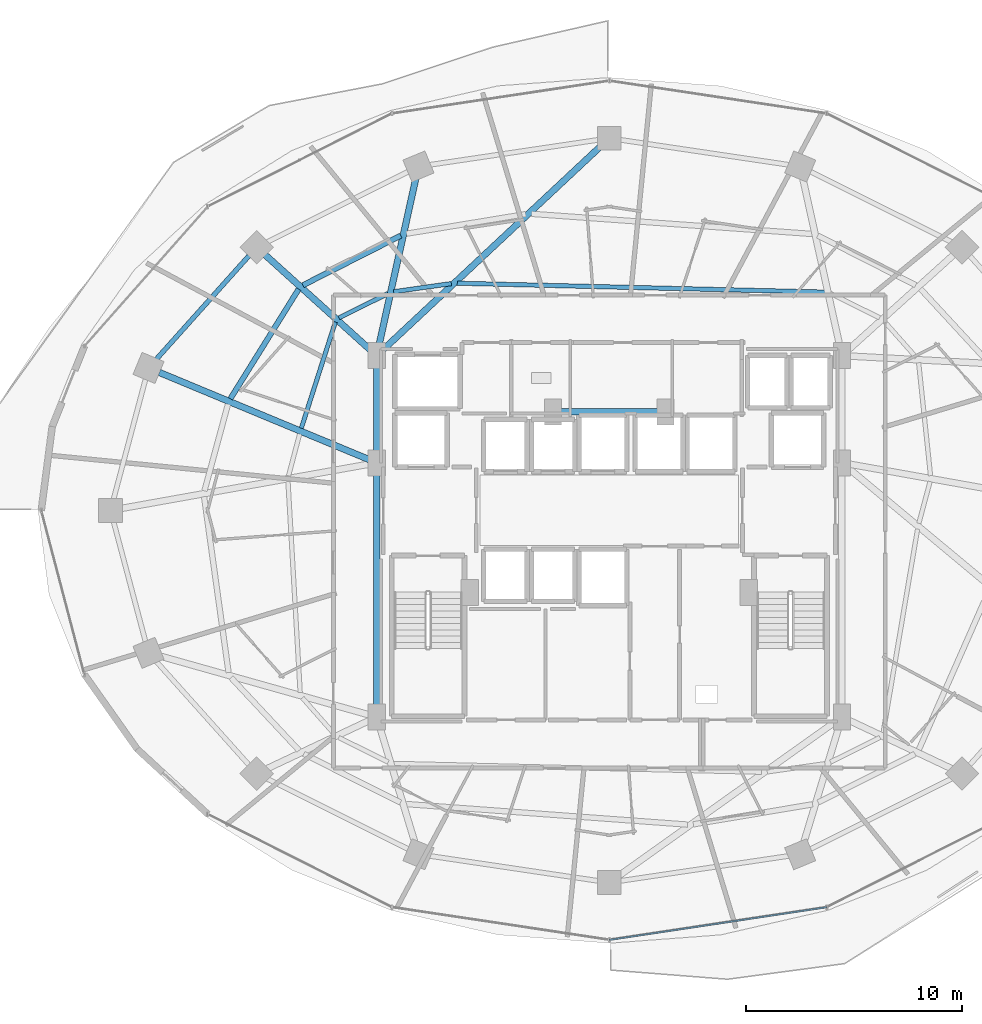
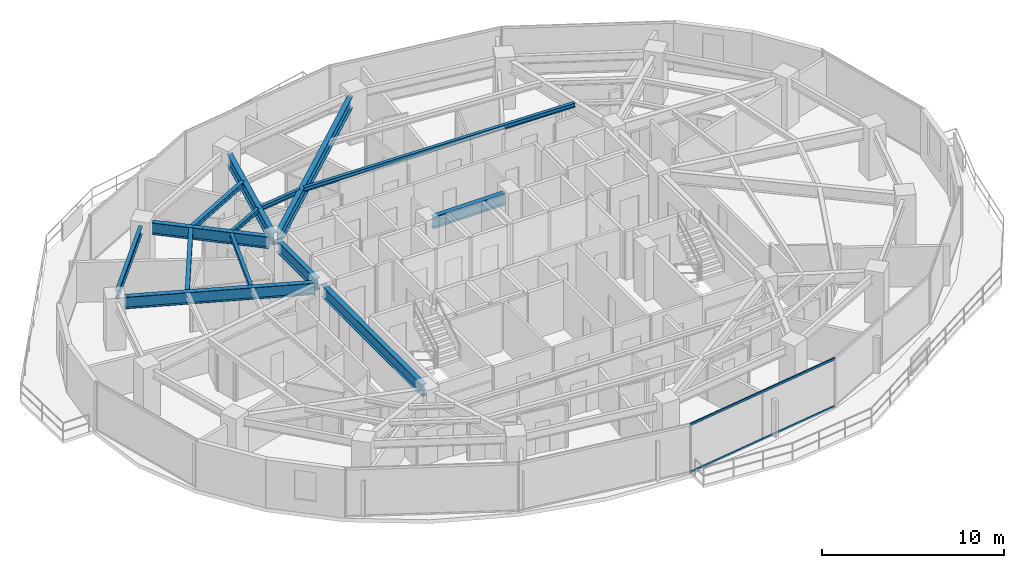
# One storey, part 9 of 29: 14 beams, 2 members, 1 element without a shape of its own.
"""IFC4 building model written with IfcOpenShell, lengths in metres."""

from ifc_helpers import new_model, si_unit, direction, frame, origin, origin_2d, place, context, subcontext, project, spatial, hollow_rectangle, i_section, extrude, material, material_profile, profile_set, type_object, element, aggregate, save


model = new_model("IFC4")

# Units and contexts
model_context = context("Model", 3, precision=1e-05, world=origin(), true_north=direction((0.0, 1.0)))
body_context = subcontext(model_context, "Body", "Model", "MODEL_VIEW")
ifc_project = project(units=[si_unit("LENGTHUNIT", "METRE"), si_unit("AREAUNIT", "SQUARE_METRE"), si_unit("VOLUMEUNIT", "CUBIC_METRE"), si_unit("PLANEANGLEUNIT", "RADIAN"), si_unit("MASSUNIT", "GRAM", prefix="KILO")], contexts=[model_context])

# Site, building, storey
site_placement = place(None, origin())
site = spatial("IfcSite", under=ifc_project, at=site_placement, CompositionType="ELEMENT")
building_placement = place(site_placement, origin())
building = spatial("IfcBuilding", under=site, at=building_placement, Name="Vorneva Point Tower", CompositionType="ELEMENT")
storey_placement = place(building_placement, frame((0.0, 0.0, 113.800048828125)))
storey = spatial("IfcBuildingStorey", under=building, at=storey_placement, Name="L30", CompositionType="ELEMENT", Elevation=113.800048828125)

# Beams
ifc_material_1 = material(Name="Steel S355", Category="steel")
ifc_material_profile_1 = material_profile(ifc_material_1, i_section(OverallWidth=0.300048828125, OverallDepth=0.7880859375, WebThickness=0.014404296875, FlangeThickness=0.02197265625, at=origin_2d()), Name="80Sh1")
ifc_profile_set_1 = profile_set([ifc_material_profile_1], Name="Steel S355")
beam_type_1 = type_object("IfcBeamType", Name="BM-GRD-80Sh1", PredefinedType="USERDEFINED", material=ifc_profile_set_1)
beam_1_placement = place(storey_placement, frame((37.60693359375, 42.83251953125, 2.845947265625), z_axis=(-0.730488863256, -0.682924608327, 0.0), x_axis=(0.682924608327, -0.730488863256, 0.0)))
element("IfcBeam", 1, at=beam_1_placement, inside=storey, type_object=beam_type_1, Name="L30 Radial Primary Girder 05", ObjectType="GIRDER", PredefinedType="USERDEFINED", context=body_context, shape_type="SweptSolid", body=[
    extrude(i_section(OverallWidth=0.300048828125, OverallDepth=0.7880859375, WebThickness=0.014404296875, FlangeThickness=0.02197265625, at=origin_2d()), origin(), (0.0, 0.0, 1.0), 13.838134765625),
])
beam_2_placement = place(storey_placement, frame((29.063232421875, 41.365234375, 2.845947265625), z_axis=(-0.215530944428, -0.976497010745, 0.0), x_axis=(0.976497010745, -0.215530944428, 0.0)))
element("IfcBeam", 2, at=beam_2_placement, inside=storey, type_object=beam_type_1, Name="L30 Radial Primary Girder 06", ObjectType="GIRDER", PredefinedType="USERDEFINED", context=body_context, shape_type="SweptSolid", body=[
    extrude(i_section(OverallWidth=0.300048828125, OverallDepth=0.7880859375, WebThickness=0.014404296875, FlangeThickness=0.02197265625, at=origin_2d()), origin(), (0.0, 0.0, 1.0), 8.072998046875),
])
beam_3_placement = place(storey_placement, frame((22.100341796875, 37.801513671875, 2.845947265625), z_axis=(0.742097300344, -0.670292172729, 0.0), x_axis=(0.670292172729, 0.742097300344, 0.0)))
element("IfcBeam", 3, at=beam_3_placement, inside=storey, type_object=beam_type_1, Name="L30 Radial Primary Girder 07", ObjectType="GIRDER", PredefinedType="USERDEFINED", context=body_context, shape_type="SweptSolid", body=[
    extrude(i_section(OverallWidth=0.300048828125, OverallDepth=0.7880859375, WebThickness=0.014404296875, FlangeThickness=0.02197265625, at=origin_2d()), origin(), (0.0, 0.0, 1.0), 6.599365234375),
])
beam_4_placement = place(storey_placement, frame((17.201416015625, 32.375732421875, 2.845947265625), z_axis=(0.923444451211, -0.383732127307, 0.0), x_axis=(0.383732127307, 0.923444451211, 0.0)))
element("IfcBeam", 4, at=beam_4_placement, inside=storey, type_object=beam_type_1, Name="L30 Radial Primary Girder 08", ObjectType="GIRDER", PredefinedType="USERDEFINED", context=body_context, shape_type="SweptSolid", body=[
    extrude(i_section(OverallWidth=0.300048828125, OverallDepth=0.7880859375, WebThickness=0.014404296875, FlangeThickness=0.02197265625, at=origin_2d()), origin(), (0.0, 0.0, 1.0), 10.541748046875),
])
beam_5_placement = place(storey_placement, frame((27.25, 16.77001953125, 2.845947265625), z_axis=(0.0, 1.0, 0.0), x_axis=(-1.0, 0.0, 0.0)))
element("IfcBeam", 5, at=beam_5_placement, inside=storey, type_object=beam_type_1, Name="L30 Core Tie Girder CT1", ObjectType="GIRDER", PredefinedType="USERDEFINED", context=body_context, shape_type="SweptSolid", body=[
    extrude(i_section(OverallWidth=0.300048828125, OverallDepth=0.7880859375, WebThickness=0.014404296875, FlangeThickness=0.02197265625, at=origin_2d()), origin(), (0.0, 0.0, 1.0), 11.10986328125),
])
beam_6_placement = place(storey_placement, frame((27.25, 28.52001953125, 2.845947265625), z_axis=(0.0, 1.0, 0.0), x_axis=(-1.0, 0.0, 0.0)))
element("IfcBeam", 6, at=beam_6_placement, inside=storey, type_object=beam_type_1, Name="L30 Core Tie Girder CT2", ObjectType="GIRDER", PredefinedType="USERDEFINED", context=body_context, shape_type="SweptSolid", body=[
    extrude(i_section(OverallWidth=0.300048828125, OverallDepth=0.7880859375, WebThickness=0.014404296875, FlangeThickness=0.02197265625, at=origin_2d()), origin(), (0.0, 0.0, 1.0), 4.31005859375),
])
beam_7_placement = place(storey_placement, frame((35.719970703125, 30.550048828125, 2.845947265625), z_axis=(1.0, 0.0, 0.0), x_axis=(0.0, 1.0, 0.0)))
element("IfcBeam", 7, at=beam_7_placement, inside=storey, type_object=beam_type_1, Name="L30 Core Tie Girder CT8", ObjectType="GIRDER", PredefinedType="USERDEFINED", context=body_context, shape_type="SweptSolid", body=[
    extrude(i_section(OverallWidth=0.300048828125, OverallDepth=0.7880859375, WebThickness=0.014404296875, FlangeThickness=0.02197265625, at=origin_2d()), origin(), (0.0, 0.0, 1.0), 4.56005859375),
])
ifc_material_profile_2 = material_profile(ifc_material_1, i_section(OverallWidth=0.199951171875, OverallDepth=0.291015625, WebThickness=0.008056640625, FlangeThickness=0.010986328125, at=origin_2d()), Name="30Sh1")
ifc_profile_set_2 = profile_set([ifc_material_profile_2], Name="Steel S355")
beam_type_2 = type_object("IfcBeamType", Name="BM-SEC-30Sh1", PredefinedType="BEAM", material=ifc_profile_set_2)
beam_8_placement = place(storey_placement, frame((47.964599609375, 36.0869140625, 3.094482421875), z_axis=(-0.999708122341, 0.024159265841, 0.0), x_axis=(-0.024159265841, -0.999708122341, 0.0)))
element("IfcBeam", 8, at=beam_8_placement, inside=storey, type_object=beam_type_2, Name="L30 Secondary Floor Beam 2.04", PredefinedType="BEAM", context=body_context, shape_type="SweptSolid", body=[
    extrude(i_section(OverallWidth=0.199951171875, OverallDepth=0.291015625, WebThickness=0.008056640625, FlangeThickness=0.010986328125, at=origin_2d()), origin(), (0.0, 0.0, 1.0), 16.997314453125),
])
beam_9_placement = place(storey_placement, frame((30.697509765625, 36.4814453125, 3.094482421875), z_axis=(-0.990043658135, -0.140760630101, 0.0), x_axis=(0.140760630101, -0.990043658135, 0.0)))
element("IfcBeam", 9, at=beam_9_placement, inside=storey, type_object=beam_type_2, Name="L30 Secondary Floor Beam 2.05", PredefinedType="BEAM", context=body_context, shape_type="SweptSolid", body=[
    extrude(i_section(OverallWidth=0.199951171875, OverallDepth=0.291015625, WebThickness=0.008056640625, FlangeThickness=0.010986328125, at=origin_2d()), origin(), (0.0, 0.0, 1.0), 2.690185546875),
])
beam_10_placement = place(storey_placement, frame((27.773681640625, 36.022216796875, 3.094482421875), z_axis=(-0.896137449279, -0.443776601456, 0.0), x_axis=(0.443776601456, -0.896137449279, 0.0)))
element("IfcBeam", 10, at=beam_10_placement, inside=storey, type_object=beam_type_2, Name="L30 Secondary Floor Beam 2.06", PredefinedType="BEAM", context=body_context, shape_type="SweptSolid", body=[
    extrude(i_section(OverallWidth=0.199951171875, OverallDepth=0.291015625, WebThickness=0.008056640625, FlangeThickness=0.010986328125, at=origin_2d()), origin(), (0.0, 0.0, 1.0), 2.53125),
])
beam_11_placement = place(storey_placement, frame((25.339599609375, 34.706298828125, 3.094482421875), z_axis=(-0.305296309303, -0.952257404028, 0.0), x_axis=(0.952257404028, -0.305296309303, 0.0)))
element("IfcBeam", 11, at=beam_11_placement, inside=storey, type_object=beam_type_2, Name="L30 Secondary Floor Beam 2.07", PredefinedType="BEAM", context=body_context, shape_type="SweptSolid", body=[
    extrude(i_section(OverallWidth=0.199951171875, OverallDepth=0.291015625, WebThickness=0.008056640625, FlangeThickness=0.010986328125, at=origin_2d()), origin(), (0.0, 0.0, 1.0), 5.155517578125),
])
ifc_material_profile_3 = material_profile(ifc_material_1, i_section(OverallWidth=0.2490234375, OverallDepth=0.333984375, WebThickness=0.008056640625, FlangeThickness=0.010986328125, at=origin_2d()), Name="35Sh1")
ifc_profile_set_3 = profile_set([ifc_material_profile_3], Name="Steel S355")
beam_type_3 = type_object("IfcBeamType", Name="BM-SEC-35Sh1", PredefinedType="BEAM", material=ifc_profile_set_3)
beam_12_placement = place(storey_placement, frame((28.365966796875, 38.701416015625, 3.072998046875), z_axis=(-0.891736950486, -0.452554097471, 0.0), x_axis=(0.452554097471, -0.891736950486, 0.0)))
element("IfcBeam", 12, at=beam_12_placement, inside=storey, type_object=beam_type_3, Name="L30 Secondary Floor Beam 1.06", PredefinedType="BEAM", context=body_context, shape_type="SweptSolid", body=[
    extrude(i_section(OverallWidth=0.2490234375, OverallDepth=0.333984375, WebThickness=0.008056640625, FlangeThickness=0.010986328125, at=origin_2d()), origin(), (0.0, 0.0, 1.0), 5.075927734375),
])
beam_13_placement = place(storey_placement, frame((23.6435546875, 36.224609375, 3.072998046875), z_axis=(-0.52880365784, -0.848744184931, 0.0), x_axis=(0.848744184931, -0.52880365784, 0.0)))
element("IfcBeam", 13, at=beam_13_placement, inside=storey, type_object=beam_type_3, Name="L30 Secondary Floor Beam 1.07", PredefinedType="BEAM", context=body_context, shape_type="SweptSolid", body=[
    extrude(i_section(OverallWidth=0.2490234375, OverallDepth=0.333984375, WebThickness=0.008056640625, FlangeThickness=0.010986328125, at=origin_2d()), origin(), (0.0, 0.0, 1.0), 5.969482421875),
])
ifc_material_profile_4 = material_profile(ifc_material_1, i_section(OverallWidth=0.219970703125, OverallDepth=0.54296875, WebThickness=0.009521484375, FlangeThickness=0.013427734375, at=origin_2d()), Name="55B1")
ifc_profile_set_4 = profile_set([ifc_material_profile_4], Name="Steel S355")
beam_type_4 = type_object("IfcBeamType", Name="BM-SPN-55B1", PredefinedType="SPANDREL", material=ifc_profile_set_4)
beam_14_placement = place(storey_placement, frame((21.34423828125, 37.763671875, 2.968505859375), z_axis=(-0.667073815664, -0.744991627105, 0.0), x_axis=(0.744991627105, -0.667073815664, 0.0)))
element("IfcBeam", 14, at=beam_14_placement, inside=storey, type_object=beam_type_4, Name="L30 Perimeter Spandrel Ring Beam 07", PredefinedType="SPANDREL", context=body_context, shape_type="SweptSolid", body=[
    extrude(i_section(OverallWidth=0.219970703125, OverallDepth=0.54296875, WebThickness=0.009521484375, FlangeThickness=0.013427734375, at=origin_2d()), origin(), (0.0, 0.0, 1.0), 6.420166015625),
])

# Curtain wall, members
ifc_material_2 = material(Name="Pale anodised aluminium", Category="aluminium")
curtain_wall_type = type_object("IfcCurtainWallType", Name="CW-HTL-SYS", PredefinedType="NOTDEFINED", material=ifc_material_2)
curtain_wall_placement = place(storey_placement, origin())
curtain_wall = element("IfcCurtainWall", 15, at=curtain_wall_placement, inside=storey, type_object=curtain_wall_type, Name="L30 Unitised Curtain Wall CW-L30-R04", PredefinedType="NOTDEFINED")
ifc_material_profile_5 = material_profile(ifc_material_2, hollow_rectangle(XDim=0.074951171875, YDim=0.14990234375, WallThickness=0.00390625, at=origin_2d()), Name="AL-TRN 150x75x4")
ifc_profile_set_5 = profile_set([ifc_material_profile_5], Name="Pale anodised aluminium")
member_type = type_object("IfcMemberType", Name="CW-TRN-150", PredefinedType="USERDEFINED", material=ifc_profile_set_5)
member_1_placement = place(storey_placement, frame((38.0, 6.14990234375, 0.02001953125), z_axis=(0.988875982167, 0.148742367512, 0.0), x_axis=(-0.148742367512, 0.988875982167, 0.0)))
member_1 = element("IfcMember", 16, at=member_1_placement, type_object=member_type, Name="CW-L30-R04 Transom 03.1", ObjectType="TRANSOM", PredefinedType="USERDEFINED", context=body_context, shape_type="SweptSolid", body=[
    extrude(hollow_rectangle(XDim=0.074951171875, YDim=0.14990234375, WallThickness=0.00390625, at=origin_2d()), origin(), (0.0, 0.0, 1.0), 10.158447265625),
])
member_2_placement = place(storey_placement, frame((38.0, 6.14990234375, 3.219970703125), z_axis=(0.988875982167, 0.148742367512, 0.0), x_axis=(-0.148742367512, 0.988875982167, 0.0)))
member_2 = element("IfcMember", 17, at=member_2_placement, type_object=member_type, Name="CW-L30-R04 Transom 03.2", ObjectType="TRANSOM", PredefinedType="USERDEFINED", context=body_context, shape_type="SweptSolid", body=[
    extrude(hollow_rectangle(XDim=0.074951171875, YDim=0.14990234375, WallThickness=0.00390625, at=origin_2d()), origin(), (0.0, 0.0, 1.0), 10.158447265625),
])
aggregate(curtain_wall, [member_1, member_2])

save(model, "model.ifc")
